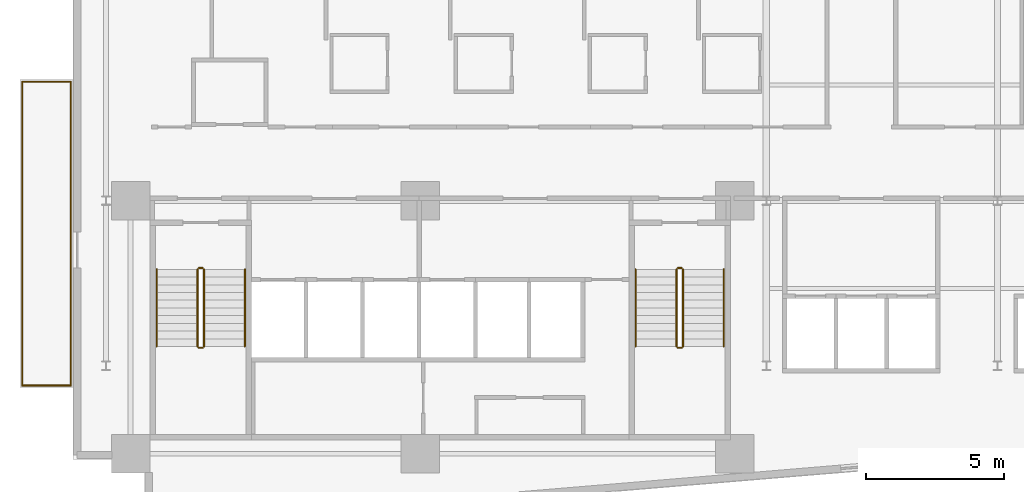
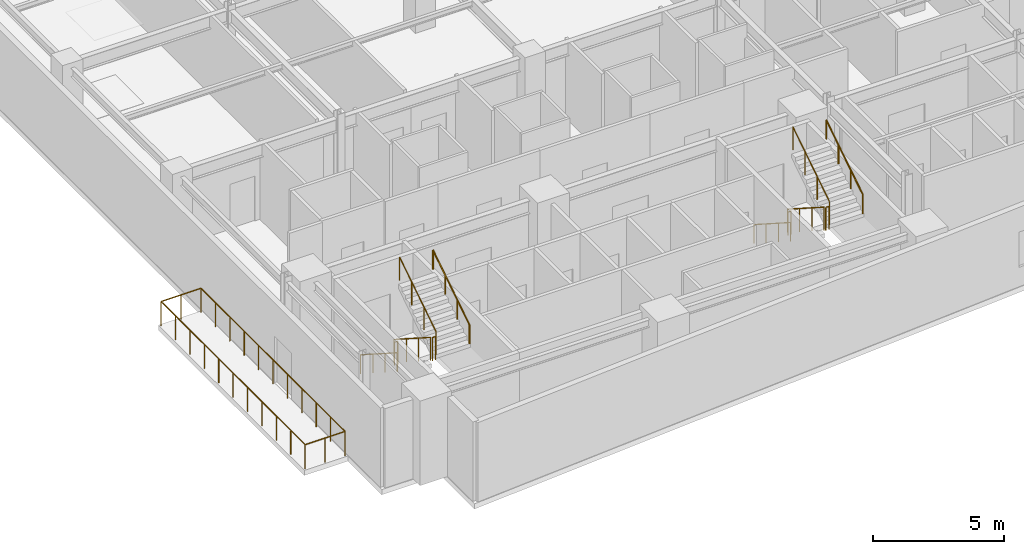
# One storey, part 17 of 21: 16 railings.
"""IFC4 building model written with IfcOpenShell, lengths in metres."""

import ifcopenshell
import ifcopenshell.guid

model = None  # the IFC model being written
_history = None  # IfcOwnerHistory: only IFC2X3 demands one
_inside = {}  # id of a spatial element -> (the spatial element, [elements in it])
_under = {}  # id of a project, library or spatial element -> (it, [spatial elements below it])
_declared = {}  # id of a project -> (the project, [libraries it declares])
_typed = {}  # id of a type object -> (the type object, [elements of that type])
_made_of = {}  # id of a material, layer set ... -> (it, [elements and type objects made of it])


def new_model(schema):
    """Start an empty IFC model of exactly this schema.

    Asked for "IFC4X3", IfcOpenShell would pick the latest addendum, in which some entities
    have other attributes; the version numbers below select the first issue.
    IFC2X3 requires an IfcOwnerHistory on every rooted entity: one is made here for all.
    """
    global model, _history
    if schema == "IFC4X3":
        model = ifcopenshell.file(schema_version=(4, 3, 0, 0))
    else:
        model = ifcopenshell.file(schema=schema)
    _inside.clear()
    _under.clear()
    _declared.clear()
    _typed.clear()
    _made_of.clear()
    _history = None
    if model.schema == "IFC2X3":
        org = make("IfcOrganization", Name="unknown")
        user = make(
            "IfcPersonAndOrganization",
            ThePerson=make("IfcPerson", FamilyName="unknown"),
            TheOrganization=org,
        )
        app = make(
            "IfcApplication",
            ApplicationDeveloper=org,
            Version="unknown",
            ApplicationFullName="unknown",
            ApplicationIdentifier="unknown",
        )
        _history = make(
            "IfcOwnerHistory",
            OwningUser=user,
            OwningApplication=app,
            ChangeAction="ADDED",
            CreationDate=0,
        )
    return model


def make(cls, **values):
    """One entity of the class cls with the attributes given. An attribute that is None is left unset."""
    return model.create_entity(
        cls, **{name: value for name, value in values.items() if value is not None}
    )


def rooted(cls, **values):
    """An entity with a GlobalId (a new one), such as an element, a storey or a relation."""
    return make(cls, GlobalId=ifcopenshell.guid.new(), OwnerHistory=_history, **values)


def si_unit(unit_type, name, prefix=None):
    """IfcSIUnit, for example si_unit("LENGTHUNIT", "METRE", prefix="MILLI")."""
    return make("IfcSIUnit", UnitType=unit_type, Prefix=prefix, Name=name)


def assignment(units):
    """IfcUnitAssignment: the units of a project."""
    return None if units is None else make("IfcUnitAssignment", Units=units)


def point(xyz):
    """IfcCartesianPoint."""
    return None if xyz is None else make("IfcCartesianPoint", Coordinates=xyz)


def direction(xyz):
    """IfcDirection."""
    return None if xyz is None else make("IfcDirection", DirectionRatios=xyz)


def frame(location, z_axis=None, x_axis=None):
    """IfcAxis2Placement3D, a coordinate frame: its origin and axes. An axis left out is left unset."""
    return make(
        "IfcAxis2Placement3D",
        Location=point(location),
        Axis=direction(z_axis),
        RefDirection=direction(x_axis),
    )


def frame_2d(location, x_axis=None):
    """IfcAxis2Placement2D, a coordinate frame in the plane: its origin and x axis."""
    return make(
        "IfcAxis2Placement2D", Location=point(location), RefDirection=direction(x_axis)
    )


def origin():
    """The frame at (0, 0, 0) with its axes left unset."""
    return frame((0.0, 0.0, 0.0))


def origin_2d():
    """The frame at (0, 0) in the plane with its x axis left unset."""
    return frame_2d((0.0, 0.0))


def place(relative_to, where):
    """IfcLocalPlacement: puts the frame where relative to a parent placement (None: the world)."""
    return make(
        "IfcLocalPlacement", PlacementRelTo=relative_to, RelativePlacement=where
    )


def context(
    kind, dimensions, precision=None, world=None, true_north=None, identifier=None
):
    """IfcGeometricRepresentationContext, for example the 3D "Model" context."""
    return make(
        "IfcGeometricRepresentationContext",
        ContextIdentifier=identifier,
        ContextType=kind,
        CoordinateSpaceDimension=dimensions,
        Precision=precision,
        WorldCoordinateSystem=world,
        TrueNorth=true_north,
    )


def subcontext(parent, identifier, kind, view, scale=None):
    """IfcGeometricRepresentationSubContext, for example "Body" below "Model"."""
    return make(
        "IfcGeometricRepresentationSubContext",
        ContextIdentifier=identifier,
        ContextType=kind,
        ParentContext=parent,
        TargetScale=scale,
        TargetView=view,
    )


def project(units=None, contexts=None):
    """IfcProject with its units and contexts."""
    return rooted(
        "IfcProject",
        Name="project",
        RepresentationContexts=contexts,
        UnitsInContext=assignment(units),
    )


def spatial(cls, under=None, at=None, **own):
    """A site, building, storey or space (cls), placed at a placement, below another one or the project."""
    s = rooted(cls, ObjectPlacement=at, **own)
    if under is not None:
        _under.setdefault(under.id(), (under, []))[1].append(s)
    return s


def profile(cls, at=None, kind="AREA", **sizes):
    """A parametric profile (cls). Its sizes go by their IFC names, for example OverallWidth=200.0."""
    return make(cls, ProfileType=kind, Position=at, **sizes)


def circle(**sizes):
    """IfcCircleProfileDef."""
    return profile("IfcCircleProfileDef", **sizes)


def extrude(swept, where, along, depth):
    """IfcExtrudedAreaSolid: the profile swept, set in the frame where, extruded along a direction by depth."""
    return make(
        "IfcExtrudedAreaSolid",
        SweptArea=swept,
        Position=where,
        ExtrudedDirection=direction(along),
        Depth=depth,
    )


def shape(context_of_items, identifier, shape_type, items):
    """IfcShapeRepresentation: the items that make up one representation, for example the "Body"."""
    return make(
        "IfcShapeRepresentation",
        ContextOfItems=context_of_items,
        RepresentationIdentifier=identifier,
        RepresentationType=shape_type,
        Items=items,
    )


def material(Name=None, Category=None):
    """IfcMaterial."""
    return make("IfcMaterial", Name=Name, Category=Category)


def made_of(thing, what):
    """Note that an element or type object is made of a material, layer set ...; save() writes the relation."""
    if what is not None:
        _made_of.setdefault(what.id(), (what, []))[1].append(thing)
    return thing


def type_object(cls, material=None, **own):
    """A type object (cls), such as IfcWallType, which elements share."""
    return made_of(rooted(cls, **own), material)


def element(
    cls,
    number,
    at=None,
    inside=None,
    cuts=None,
    type_object=None,
    material=None,
    context=None,
    identifier="Body",
    shape_type=None,
    held_by="IfcProductDefinitionShape",
    body=None,
    shapes=None,
    **own,
):
    """One element of the class cls, such as IfcWall. Its Tag is "e" and its number.

    at: its placement. inside: the storey or other place that contains it. cuts: it is an
    opening in that element (IfcRelVoidsElement). A single representation is given by context,
    identifier, shape_type and body (its items); several are given by shapes. held_by: the class
    of the entity that holds the representations. save() writes the other relations.
    """
    e = rooted(cls, Tag="e%d" % number, ObjectPlacement=at, **own)
    if body is not None:
        shapes = [shape(context, identifier, shape_type, body)]
    if shapes is not None:
        e.Representation = make(held_by, Representations=shapes)
    if inside is not None:
        _inside.setdefault(inside.id(), (inside, []))[1].append(e)
    if cuts is not None:
        rooted(
            "IfcRelVoidsElement", RelatingBuildingElement=cuts, RelatedOpeningElement=e
        )
    if type_object is not None:
        _typed.setdefault(type_object.id(), (type_object, []))[1].append(e)
    return made_of(e, material)


def aggregate(whole, parts):
    """IfcRelAggregates: a whole, such as a stair, and the parts it consists of."""
    return rooted("IfcRelAggregates", RelatingObject=whole, RelatedObjects=parts)


def save(model, path):
    """Write the relations noted so far, then the file.

    IfcRelAggregates (storeys below a building ...), IfcRelContainedInSpatialStructure (elements
    in a storey), IfcRelDefinesByType, IfcRelAssociatesMaterial and IfcRelDeclares: one each for
    every whole, place, type object, material and project.
    """
    for whole, parts in _under.values():
        aggregate(whole, parts)
    for where, things in _inside.values():
        rooted(
            "IfcRelContainedInSpatialStructure",
            RelatedElements=things,
            RelatingStructure=where,
        )
    for kind, things in _typed.values():
        rooted("IfcRelDefinesByType", RelatedObjects=things, RelatingType=kind)
    for what, things in _made_of.values():
        rooted("IfcRelAssociatesMaterial", RelatedObjects=things, RelatingMaterial=what)
    for by, libraries in _declared.values():
        rooted("IfcRelDeclares", RelatingContext=by, RelatedDefinitions=libraries)
    model.write(path)


model = new_model("IFC4")

# Units and contexts
model_context = context("Model", 3, precision=1e-05, world=origin(), true_north=direction((0.0, 1.0)))
body_context = subcontext(model_context, "Body", "Model", "MODEL_VIEW")
ifc_project = project(units=[si_unit("LENGTHUNIT", "METRE"), si_unit("AREAUNIT", "SQUARE_METRE"), si_unit("VOLUMEUNIT", "CUBIC_METRE"), si_unit("PLANEANGLEUNIT", "RADIAN"), si_unit("MASSUNIT", "GRAM", prefix="KILO")], contexts=[model_context])

# Site, building, storey
site_placement = place(None, origin())
site = spatial("IfcSite", under=ifc_project, at=site_placement, CompositionType="ELEMENT")
building_placement = place(site_placement, origin())
building = spatial("IfcBuilding", under=site, at=building_placement, Name="Varnakote Quay Hospital", CompositionType="ELEMENT")
storey_placement = place(building_placement, frame((0.0, 0.0, 77.800048828125)))
storey = spatial("IfcBuildingStorey", under=building, at=storey_placement, Name="L19", CompositionType="ELEMENT", Elevation=77.800048828125)

# Railings
ifc_material_1 = material(Name="Anodised aluminium 6063-T6 Bronze", Category="aluminium")
railing_type_1 = type_object("IfcRailingType", Name="RLG-EXT-GUARD-1150", PredefinedType="GUARDRAIL", material=ifc_material_1)
railing_1_placement = place(storey_placement, frame((-0.075927734375, 5.280029296875, 0.0)))
element("IfcRailing", 1, at=railing_1_placement, inside=storey, type_object=railing_type_1, Name="L19 Zigzag Prow Healing Terrace Safety Guard", PredefinedType="GUARDRAIL", context=body_context, shape_type="SweptSolid", body=[
    extrude(circle(Radius=0.02392578125, at=origin_2d()), frame((0.0, 0.0, 1.1259765625), z_axis=(-1.0, 0.0, 0.0), x_axis=(0.0, -1.0, 0.0)), (0.0, 0.0, 1.0), 1.76416015625),
    extrude(circle(Radius=0.02099609375, at=origin_2d()), origin(), (0.0, 0.0, 1.0), 1.101806640625),
    extrude(circle(Radius=0.02099609375, at=origin_2d()), frame((-0.882080078125, 0.0, 0.0)), (0.0, 0.0, 1.0), 1.101806640625),
    extrude(circle(Radius=0.02099609375, at=origin_2d()), frame((-1.76416015625, 0.0, 0.0)), (0.0, 0.0, 1.0), 1.101806640625),
])
railing_2_placement = place(storey_placement, frame((-1.840087890625, 5.280029296875, 0.0)))
element("IfcRailing", 2, at=railing_2_placement, inside=storey, type_object=railing_type_1, Name="L19 Zigzag Prow Healing Terrace Safety Guard", PredefinedType="GUARDRAIL", context=body_context, shape_type="SweptSolid", body=[
    extrude(circle(Radius=0.02392578125, at=origin_2d()), frame((0.0, 0.0, 1.1259765625), z_axis=(0.0, 1.0, 0.0), x_axis=(-1.0, 0.0, 0.0)), (0.0, 0.0, 1.0), 11.0400390625),
    extrude(circle(Radius=0.02099609375, at=origin_2d()), origin(), (0.0, 0.0, 1.0), 1.101806640625),
    extrude(circle(Radius=0.02099609375, at=origin_2d()), frame((0.0, 1.10400390625, 0.0)), (0.0, 0.0, 1.0), 1.101806640625),
    extrude(circle(Radius=0.02099609375, at=origin_2d()), frame((0.0, 2.2080078125, 0.0)), (0.0, 0.0, 1.0), 1.101806640625),
    extrude(circle(Radius=0.02099609375, at=origin_2d()), frame((0.0, 3.31201171875, 0.0)), (0.0, 0.0, 1.0), 1.101806640625),
    extrude(circle(Radius=0.02099609375, at=origin_2d()), frame((0.0, 4.416015625, 0.0)), (0.0, 0.0, 1.0), 1.101806640625),
    extrude(circle(Radius=0.02099609375, at=origin_2d()), frame((0.0, 5.52001953125, 0.0)), (0.0, 0.0, 1.0), 1.101806640625),
    extrude(circle(Radius=0.02099609375, at=origin_2d()), frame((0.0, 6.6240234375, 0.0)), (0.0, 0.0, 1.0), 1.101806640625),
    extrude(circle(Radius=0.02099609375, at=origin_2d()), frame((0.0, 7.72802734375, 0.0)), (0.0, 0.0, 1.0), 1.101806640625),
    extrude(circle(Radius=0.02099609375, at=origin_2d()), frame((0.0, 8.83203125, 0.0)), (0.0, 0.0, 1.0), 1.101806640625),
    extrude(circle(Radius=0.02099609375, at=origin_2d()), frame((0.0, 9.93603515625, 0.0)), (0.0, 0.0, 1.0), 1.101806640625),
    extrude(circle(Radius=0.02099609375, at=origin_2d()), frame((0.0, 11.0400390625, 0.0)), (0.0, 0.0, 1.0), 1.101806640625),
])
railing_3_placement = place(storey_placement, frame((-1.840087890625, 16.320068359375, 0.0)))
element("IfcRailing", 3, at=railing_3_placement, inside=storey, type_object=railing_type_1, Name="L19 Zigzag Prow Healing Terrace Safety Guard", PredefinedType="GUARDRAIL", context=body_context, shape_type="SweptSolid", body=[
    extrude(circle(Radius=0.02392578125, at=origin_2d()), frame((0.0, 0.0, 1.1259765625), z_axis=(1.0, 0.0, 0.0), x_axis=(0.0, 1.0, 0.0)), (0.0, 0.0, 1.0), 1.76416015625),
    extrude(circle(Radius=0.02099609375, at=origin_2d()), origin(), (0.0, 0.0, 1.0), 1.101806640625),
    extrude(circle(Radius=0.02099609375, at=origin_2d()), frame((0.882080078125, 0.0, 0.0)), (0.0, 0.0, 1.0), 1.101806640625),
    extrude(circle(Radius=0.02099609375, at=origin_2d()), frame((1.76416015625, 0.0, 0.0)), (0.0, 0.0, 1.0), 1.101806640625),
])
railing_4_placement = place(storey_placement, frame((-0.075927734375, 16.320068359375, 0.0)))
element("IfcRailing", 4, at=railing_4_placement, inside=storey, type_object=railing_type_1, Name="L19 Zigzag Prow Healing Terrace Safety Guard", PredefinedType="GUARDRAIL", context=body_context, shape_type="SweptSolid", body=[
    extrude(circle(Radius=0.02392578125, at=origin_2d()), frame((0.0, 0.0, 1.1259765625), z_axis=(0.0, -1.0, 0.0), x_axis=(1.0, 0.0, 0.0)), (0.0, 0.0, 1.0), 11.0400390625),
    extrude(circle(Radius=0.02099609375, at=origin_2d()), origin(), (0.0, 0.0, 1.0), 1.101806640625),
    extrude(circle(Radius=0.02099609375, at=origin_2d()), frame((0.0, -1.10400390625, 0.0)), (0.0, 0.0, 1.0), 1.101806640625),
    extrude(circle(Radius=0.02099609375, at=origin_2d()), frame((0.0, -2.2080078125, 0.0)), (0.0, 0.0, 1.0), 1.101806640625),
    extrude(circle(Radius=0.02099609375, at=origin_2d()), frame((0.0, -3.31201171875, 0.0)), (0.0, 0.0, 1.0), 1.101806640625),
    extrude(circle(Radius=0.02099609375, at=origin_2d()), frame((0.0, -4.416015625, 0.0)), (0.0, 0.0, 1.0), 1.101806640625),
    extrude(circle(Radius=0.02099609375, at=origin_2d()), frame((0.0, -5.52001953125, 0.0)), (0.0, 0.0, 1.0), 1.101806640625),
    extrude(circle(Radius=0.02099609375, at=origin_2d()), frame((0.0, -6.6240234375, 0.0)), (0.0, 0.0, 1.0), 1.101806640625),
    extrude(circle(Radius=0.02099609375, at=origin_2d()), frame((0.0, -7.72802734375, 0.0)), (0.0, 0.0, 1.0), 1.101806640625),
    extrude(circle(Radius=0.02099609375, at=origin_2d()), frame((0.0, -8.83203125, 0.0)), (0.0, 0.0, 1.0), 1.101806640625),
    extrude(circle(Radius=0.02099609375, at=origin_2d()), frame((0.0, -9.93603515625, 0.0)), (0.0, 0.0, 1.0), 1.101806640625),
    extrude(circle(Radius=0.02099609375, at=origin_2d()), frame((0.0, -11.0400390625, 0.0)), (0.0, 0.0, 1.0), 1.101806640625),
])
ifc_material_2 = material(Name="Brushed stainless steel balustrade", Category="steel")
railing_type_2 = type_object("IfcRailingType", Name="RLG-STAIR-GUARD-1150", PredefinedType="GUARDRAIL", material=ifc_material_2)
railing_5_placement = place(storey_placement, frame((4.530029296875, 9.5, 0.179443359375)))
element("IfcRailing", 5, at=railing_5_placement, inside=storey, type_object=railing_type_2, Name="L19 ST-01 stair guard 1", PredefinedType="GUARDRAIL", context=body_context, shape_type="SweptSolid", body=[
    extrude(circle(Radius=0.02392578125, at=origin_2d()), frame((0.0, 0.0, 1.076171875), z_axis=(0.0, -0.841809871826, 0.539774156196), x_axis=(1.0, 0.0, 0.0)), (0.0, 0.0, 1.0), 3.326171875),
    extrude(circle(Radius=0.02099609375, at=origin_2d()), origin(), (0.0, 0.0, 1.0), 1.052001953125),
    extrude(circle(Radius=0.02099609375, at=origin_2d()), frame((0.0, -0.933349609375, 0.598388671875)), (0.0, 0.0, 1.0), 1.052001953125),
    extrude(circle(Radius=0.02099609375, at=origin_2d()), frame((0.0, -1.86669921875, 1.197021484375)), (0.0, 0.0, 1.0), 1.052001953125),
    extrude(circle(Radius=0.02099609375, at=origin_2d()), frame((0.0, -2.800048828125, 1.79541015625)), (0.0, 0.0, 1.0), 1.052001953125),
])
railing_6_placement = place(storey_placement, frame((4.580078125, 6.64990234375, 1.974853515625)))
element("IfcRailing", 6, at=railing_6_placement, inside=storey, type_object=railing_type_2, Name="L19 ST-01 stair guard 2", PredefinedType="GUARDRAIL", context=body_context, shape_type="SweptSolid", body=[
    extrude(circle(Radius=0.02392578125, at=origin_2d()), frame((0.0, 0.0, 1.076171875), z_axis=(1.0, 0.0, 0.0), x_axis=(0.0, 1.0, 0.0)), (0.0, 0.0, 1.0), 0.139892578125),
    extrude(circle(Radius=0.02099609375, at=origin_2d()), origin(), (0.0, 0.0, 1.0), 1.052001953125),
    extrude(circle(Radius=0.02099609375, at=origin_2d()), frame((0.139892578125, 0.0, 0.0)), (0.0, 0.0, 1.0), 1.052001953125),
])
railing_7_placement = place(storey_placement, frame((4.77001953125, 6.699951171875, 2.154541015625)))
element("IfcRailing", 7, at=railing_7_placement, inside=storey, type_object=railing_type_2, Name="L19 ST-01 stair guard 3", PredefinedType="GUARDRAIL", context=body_context, shape_type="SweptSolid", body=[
    extrude(circle(Radius=0.02392578125, at=origin_2d()), frame((0.0, 0.0, 1.076171875), z_axis=(0.0, 0.841809871826, 0.539774156196), x_axis=(-1.0, 0.0, 0.0)), (0.0, 0.0, 1.0), 3.326171875),
    extrude(circle(Radius=0.02099609375, at=origin_2d()), origin(), (0.0, 0.0, 1.0), 1.052001953125),
    extrude(circle(Radius=0.02099609375, at=origin_2d()), frame((0.0, 0.933349609375, 0.598388671875)), (0.0, 0.0, 1.0), 1.052001953125),
    extrude(circle(Radius=0.02099609375, at=origin_2d()), frame((0.0, 1.86669921875, 1.197021484375)), (0.0, 0.0, 1.0), 1.052001953125),
    extrude(circle(Radius=0.02099609375, at=origin_2d()), frame((0.0, 2.800048828125, 1.79541015625)), (0.0, 0.0, 1.0), 1.052001953125),
])
railing_8_placement = place(storey_placement, frame((4.580078125, 9.550048828125, 0.0)))
element("IfcRailing", 8, at=railing_8_placement, inside=storey, type_object=railing_type_2, Name="L19 ST-01 stair guard 4", PredefinedType="GUARDRAIL", context=body_context, shape_type="SweptSolid", body=[
    extrude(circle(Radius=0.02392578125, at=origin_2d()), frame((0.0, 0.0, 1.076171875), z_axis=(1.0, 0.0, 0.0), x_axis=(0.0, 1.0, 0.0)), (0.0, 0.0, 1.0), 0.139892578125),
    extrude(circle(Radius=0.02099609375, at=origin_2d()), origin(), (0.0, 0.0, 1.0), 1.052001953125),
    extrude(circle(Radius=0.02099609375, at=origin_2d()), frame((0.139892578125, 0.0, 0.0)), (0.0, 0.0, 1.0), 1.052001953125),
])
railing_9_placement = place(storey_placement, frame((21.929931640625, 9.5, 0.179443359375)))
element("IfcRailing", 9, at=railing_9_placement, inside=storey, type_object=railing_type_2, Name="L19 ST-02 stair guard 1", PredefinedType="GUARDRAIL", context=body_context, shape_type="SweptSolid", body=[
    extrude(circle(Radius=0.02392578125, at=origin_2d()), frame((0.0, 0.0, 1.076171875), z_axis=(0.0, -0.841809871826, 0.539774156196), x_axis=(1.0, 0.0, 0.0)), (0.0, 0.0, 1.0), 3.326171875),
    extrude(circle(Radius=0.02099609375, at=origin_2d()), origin(), (0.0, 0.0, 1.0), 1.052001953125),
    extrude(circle(Radius=0.02099609375, at=origin_2d()), frame((0.0, -0.933349609375, 0.598388671875)), (0.0, 0.0, 1.0), 1.052001953125),
    extrude(circle(Radius=0.02099609375, at=origin_2d()), frame((0.0, -1.86669921875, 1.197021484375)), (0.0, 0.0, 1.0), 1.052001953125),
    extrude(circle(Radius=0.02099609375, at=origin_2d()), frame((0.0, -2.800048828125, 1.79541015625)), (0.0, 0.0, 1.0), 1.052001953125),
])
railing_10_placement = place(storey_placement, frame((21.97998046875, 6.64990234375, 1.974853515625)))
element("IfcRailing", 10, at=railing_10_placement, inside=storey, type_object=railing_type_2, Name="L19 ST-02 stair guard 2", PredefinedType="GUARDRAIL", context=body_context, shape_type="SweptSolid", body=[
    extrude(circle(Radius=0.02392578125, at=origin_2d()), frame((0.0, 0.0, 1.076171875), z_axis=(1.0, 0.0, 0.0), x_axis=(0.0, 1.0, 0.0)), (0.0, 0.0, 1.0), 0.14013671875),
    extrude(circle(Radius=0.02099609375, at=origin_2d()), origin(), (0.0, 0.0, 1.0), 1.052001953125),
    extrude(circle(Radius=0.02099609375, at=origin_2d()), frame((0.14013671875, 0.0, 0.0)), (0.0, 0.0, 1.0), 1.052001953125),
])
railing_11_placement = place(storey_placement, frame((22.169921875, 6.699951171875, 2.154541015625)))
element("IfcRailing", 11, at=railing_11_placement, inside=storey, type_object=railing_type_2, Name="L19 ST-02 stair guard 3", PredefinedType="GUARDRAIL", context=body_context, shape_type="SweptSolid", body=[
    extrude(circle(Radius=0.02392578125, at=origin_2d()), frame((0.0, 0.0, 1.076171875), z_axis=(0.0, 0.841809871826, 0.539774156196), x_axis=(-1.0, 0.0, 0.0)), (0.0, 0.0, 1.0), 3.326171875),
    extrude(circle(Radius=0.02099609375, at=origin_2d()), origin(), (0.0, 0.0, 1.0), 1.052001953125),
    extrude(circle(Radius=0.02099609375, at=origin_2d()), frame((0.0, 0.933349609375, 0.598388671875)), (0.0, 0.0, 1.0), 1.052001953125),
    extrude(circle(Radius=0.02099609375, at=origin_2d()), frame((0.0, 1.86669921875, 1.197021484375)), (0.0, 0.0, 1.0), 1.052001953125),
    extrude(circle(Radius=0.02099609375, at=origin_2d()), frame((0.0, 2.800048828125, 1.79541015625)), (0.0, 0.0, 1.0), 1.052001953125),
])
railing_12_placement = place(storey_placement, frame((21.97998046875, 9.550048828125, 0.0)))
element("IfcRailing", 12, at=railing_12_placement, inside=storey, type_object=railing_type_2, Name="L19 ST-02 stair guard 4", PredefinedType="GUARDRAIL", context=body_context, shape_type="SweptSolid", body=[
    extrude(circle(Radius=0.02392578125, at=origin_2d()), frame((0.0, 0.0, 1.076171875), z_axis=(1.0, 0.0, 0.0), x_axis=(0.0, 1.0, 0.0)), (0.0, 0.0, 1.0), 0.14013671875),
    extrude(circle(Radius=0.02099609375, at=origin_2d()), origin(), (0.0, 0.0, 1.0), 1.052001953125),
    extrude(circle(Radius=0.02099609375, at=origin_2d()), frame((0.14013671875, 0.0, 0.0)), (0.0, 0.0, 1.0), 1.052001953125),
])
ifc_material_3 = material(Name="Brushed stainless steel handrail", Category="steel")
railing_type_3 = type_object("IfcRailingType", Name="RLG-STAIR-HND-920", PredefinedType="HANDRAIL", material=ifc_material_3)
railing_13_placement = place(storey_placement, frame((3.050048828125, 9.5, 0.179443359375)))
element("IfcRailing", 13, at=railing_13_placement, inside=storey, type_object=railing_type_3, Name="L19 ST-01 stair handrail 1", PredefinedType="HANDRAIL", context=body_context, shape_type="SweptSolid", body=[
    extrude(circle(Radius=0.02392578125, at=origin_2d()), frame((0.0, 0.0, 0.8759765625), z_axis=(0.0, -0.841809871826, 0.539774156196), x_axis=(1.0, 0.0, 0.0)), (0.0, 0.0, 1.0), 3.326171875),
    extrude(circle(Radius=0.02099609375, at=origin_2d()), origin(), (0.0, 0.0, 1.0), 0.851806640625),
    extrude(circle(Radius=0.02099609375, at=origin_2d()), frame((0.0, -0.933349609375, 0.598388671875)), (0.0, 0.0, 1.0), 0.851806640625),
    extrude(circle(Radius=0.02099609375, at=origin_2d()), frame((0.0, -1.86669921875, 1.197021484375)), (0.0, 0.0, 1.0), 0.851806640625),
    extrude(circle(Radius=0.02099609375, at=origin_2d()), frame((0.0, -2.800048828125, 1.79541015625)), (0.0, 0.0, 1.0), 0.851806640625),
])
railing_14_placement = place(storey_placement, frame((6.25, 6.699951171875, 2.154541015625)))
element("IfcRailing", 14, at=railing_14_placement, inside=storey, type_object=railing_type_3, Name="L19 ST-01 stair handrail 2", PredefinedType="HANDRAIL", context=body_context, shape_type="SweptSolid", body=[
    extrude(circle(Radius=0.02392578125, at=origin_2d()), frame((0.0, 0.0, 0.8759765625), z_axis=(0.0, 0.841809871826, 0.539774156196), x_axis=(-1.0, 0.0, 0.0)), (0.0, 0.0, 1.0), 3.326171875),
    extrude(circle(Radius=0.02099609375, at=origin_2d()), origin(), (0.0, 0.0, 1.0), 0.851806640625),
    extrude(circle(Radius=0.02099609375, at=origin_2d()), frame((0.0, 0.933349609375, 0.598388671875)), (0.0, 0.0, 1.0), 0.851806640625),
    extrude(circle(Radius=0.02099609375, at=origin_2d()), frame((0.0, 1.86669921875, 1.197021484375)), (0.0, 0.0, 1.0), 0.851806640625),
    extrude(circle(Radius=0.02099609375, at=origin_2d()), frame((0.0, 2.800048828125, 1.79541015625)), (0.0, 0.0, 1.0), 0.851806640625),
])
railing_15_placement = place(storey_placement, frame((20.449951171875, 9.5, 0.179443359375)))
element("IfcRailing", 15, at=railing_15_placement, inside=storey, type_object=railing_type_3, Name="L19 ST-02 stair handrail 1", PredefinedType="HANDRAIL", context=body_context, shape_type="SweptSolid", body=[
    extrude(circle(Radius=0.02392578125, at=origin_2d()), frame((0.0, 0.0, 0.8759765625), z_axis=(0.0, -0.841809871826, 0.539774156196), x_axis=(1.0, 0.0, 0.0)), (0.0, 0.0, 1.0), 3.326171875),
    extrude(circle(Radius=0.02099609375, at=origin_2d()), origin(), (0.0, 0.0, 1.0), 0.851806640625),
    extrude(circle(Radius=0.02099609375, at=origin_2d()), frame((0.0, -0.933349609375, 0.598388671875)), (0.0, 0.0, 1.0), 0.851806640625),
    extrude(circle(Radius=0.02099609375, at=origin_2d()), frame((0.0, -1.86669921875, 1.197021484375)), (0.0, 0.0, 1.0), 0.851806640625),
    extrude(circle(Radius=0.02099609375, at=origin_2d()), frame((0.0, -2.800048828125, 1.79541015625)), (0.0, 0.0, 1.0), 0.851806640625),
])
railing_16_placement = place(storey_placement, frame((23.64990234375, 6.699951171875, 2.154541015625)))
element("IfcRailing", 16, at=railing_16_placement, inside=storey, type_object=railing_type_3, Name="L19 ST-02 stair handrail 2", PredefinedType="HANDRAIL", context=body_context, shape_type="SweptSolid", body=[
    extrude(circle(Radius=0.02392578125, at=origin_2d()), frame((0.0, 0.0, 0.8759765625), z_axis=(0.0, 0.841809871826, 0.539774156196), x_axis=(-1.0, 0.0, 0.0)), (0.0, 0.0, 1.0), 3.326171875),
    extrude(circle(Radius=0.02099609375, at=origin_2d()), origin(), (0.0, 0.0, 1.0), 0.851806640625),
    extrude(circle(Radius=0.02099609375, at=origin_2d()), frame((0.0, 0.933349609375, 0.598388671875)), (0.0, 0.0, 1.0), 0.851806640625),
    extrude(circle(Radius=0.02099609375, at=origin_2d()), frame((0.0, 1.86669921875, 1.197021484375)), (0.0, 0.0, 1.0), 0.851806640625),
    extrude(circle(Radius=0.02099609375, at=origin_2d()), frame((0.0, 2.800048828125, 1.79541015625)), (0.0, 0.0, 1.0), 0.851806640625),
])

save(model, "model.ifc")
